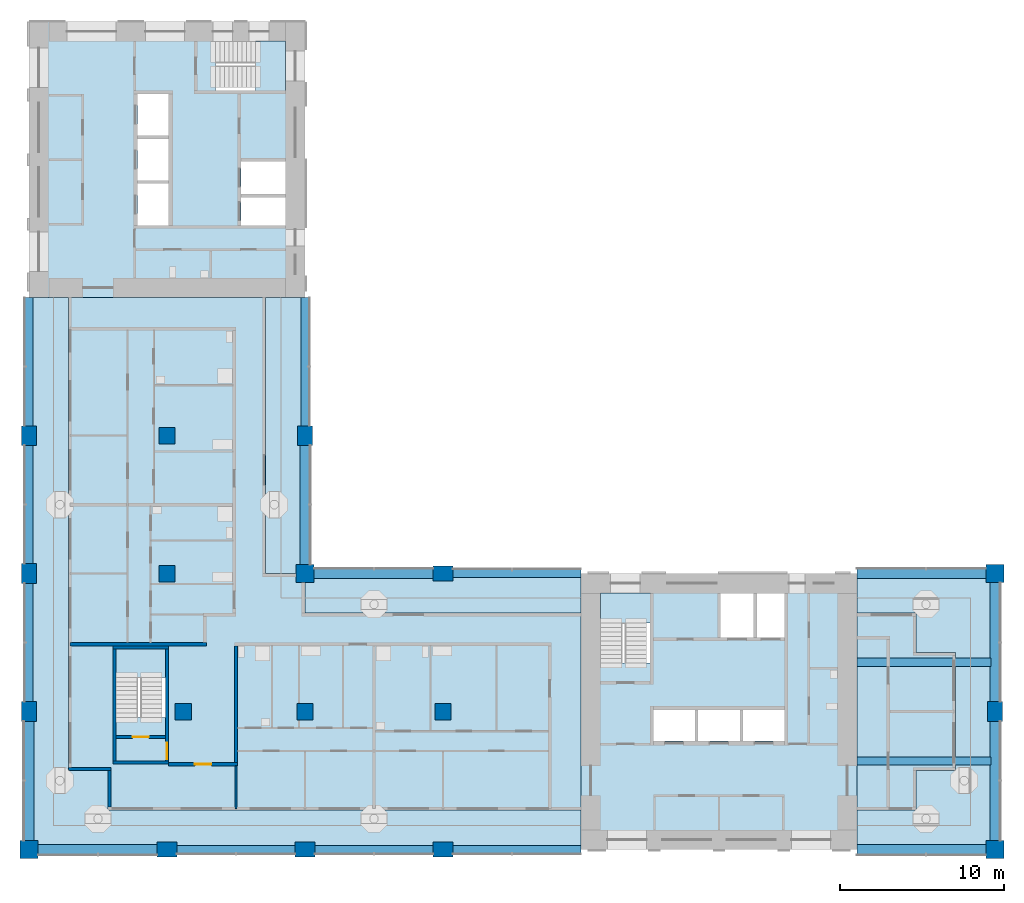
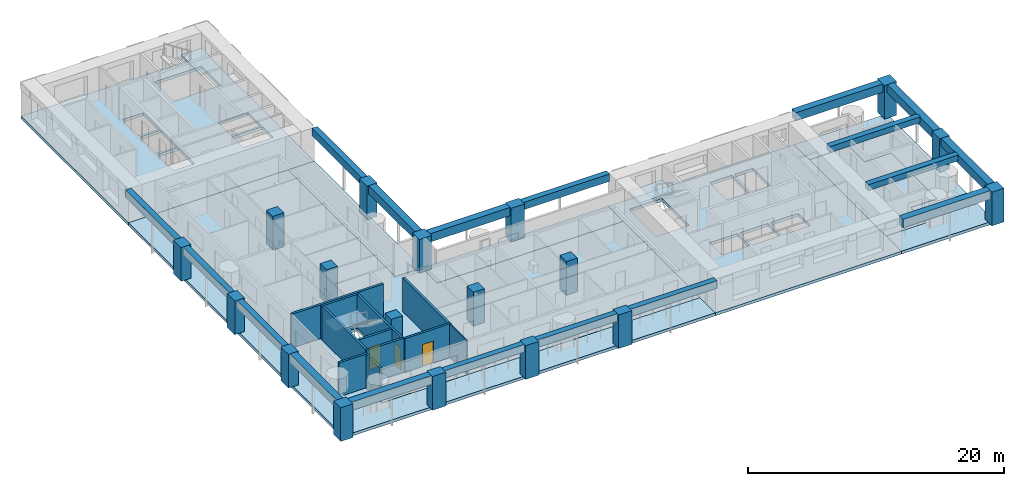
# One storey, part 1 of 13: 18 beams, 18 columns, 12 slabs, 11 walls, 3 doors, 3 openings, 3 elements without a shape of their own.
"""IFC4 building model written with IfcOpenShell, lengths in metres."""

from ifc_helpers import new_model, si_unit, direction, frame, frame_2d, origin, origin_2d, place, context, subcontext, project, spatial, polyline, rectangle, outline, extrude, material, layer, layer_set, material_profile, profile_set, type_object, element, fill, aggregate, save


model = new_model("IFC4")

# Units and contexts
model_context = context("Model", 3, precision=1e-05, world=origin(), true_north=direction((0.0, 1.0)))
body_context = subcontext(model_context, "Body", "Model", "MODEL_VIEW")
ifc_project = project(units=[si_unit("LENGTHUNIT", "METRE"), si_unit("AREAUNIT", "SQUARE_METRE"), si_unit("VOLUMEUNIT", "CUBIC_METRE"), si_unit("PLANEANGLEUNIT", "RADIAN"), si_unit("MASSUNIT", "GRAM", prefix="KILO")], contexts=[model_context])

# Site, building, storey
site_placement = place(None, origin())
site = spatial("IfcSite", under=ifc_project, at=site_placement, CompositionType="ELEMENT")
building_placement = place(site_placement, origin())
building = spatial("IfcBuilding", under=site, at=building_placement, Name="Vermilion Gate Residences", CompositionType="ELEMENT")
storey_placement = place(building_placement, frame((0.0, 0.0, 182.699951171875)))
storey = spatial("IfcBuildingStorey", under=building, at=storey_placement, Name="L47", CompositionType="ELEMENT", Elevation=182.699951171875)

# Columns
ifc_material_1 = material(Name="Concrete C60", Category="concrete")
ifc_material_profile_1 = material_profile(ifc_material_1, rectangle(XDim=1.0, YDim=1.0, at=origin_2d()), Name="RC-1000x1000")
ifc_profile_set_1 = profile_set([ifc_material_profile_1], Name="Concrete C60")
column_type_1 = type_object("IfcColumnType", Name="RC COLUMN 1000 X 1000 C60", PredefinedType="COLUMN", material=ifc_profile_set_1)
for number, where, z_axis, x_axis, name in (
    (1, (17.800048828125, 16.800048828125, 0.0), (0.0, 0.0, 1.0), (1.0, 0.0, 0.0), "Column 3-C L47"),
    (2, (16.800048828125, 25.199951171875, 0.0), (0.0, 0.0, 1.0), (1.0, 0.0, 0.0), "Column 3-D L47"),
    (3, (16.800048828125, 33.60009765625, 0.0), (0.0, 0.0, 1.0), (1.0, 0.0, 0.0), "Column 3-E L47"),
    (4, (25.199951171875, 16.800048828125, 0.0), (0.0, 0.0, 1.0), (1.0, 0.0, 0.0), "Column 4-C L47"),
    (5, (33.60009765625, 16.800048828125, 0.0), (0.0, 0.0, 1.0), (1.0, 0.0, 0.0), "Column 5-C L47"),
):
    element("IfcColumn", number, at=place(storey_placement, frame(where, z_axis=z_axis, x_axis=x_axis)), inside=storey, type_object=column_type_1, Name=name, PredefinedType="COLUMN", context=body_context, shape_type="SweptSolid", body=[
        extrude(rectangle(XDim=1.0, YDim=1.0, at=origin_2d()), origin(), (0.0, 0.0, 1.0), 3.219970703125),
    ])
ifc_material_2 = material(Name="Concrete C60", Category="concrete")
ifc_material_profile_2 = material_profile(ifc_material_2, rectangle(XDim=1.10009765625, YDim=1.10009765625, at=origin_2d()), Name="RC-1100x1100")
ifc_profile_set_2 = profile_set([ifc_material_profile_2], Name="Concrete C60")
column_type_2 = type_object("IfcColumnType", Name="RC COLUMN 1100 X 1100 C60", PredefinedType="COLUMN", material=ifc_profile_set_2)
for number, where, z_axis, x_axis, name in (
    (6, (8.39990234375, 8.39990234375, 0.0), (0.0, 0.0, 1.0), (1.0, 0.0, 0.0), "Column 2-B L47"),
    (7, (25.199951171875, 25.199951171875, 0.0), (0.0, 0.0, 1.0), (1.0, 0.0, 0.0), "Column 4-D L47"),
    (8, (67.199951171875, 8.39990234375, 0.0), (0.0, 0.0, 1.0), (1.0, 0.0, 0.0), "Column 9-B L47"),
    (9, (67.199951171875, 25.199951171875, 0.0), (0.0, 0.0, 1.0), (1.0, 0.0, 0.0), "Column 9-D L47"),
):
    element("IfcColumn", number, at=place(storey_placement, frame(where, z_axis=z_axis, x_axis=x_axis)), inside=storey, type_object=column_type_2, Name=name, PredefinedType="COLUMN", context=body_context, shape_type="SweptSolid", body=[
        extrude(rectangle(XDim=1.10009765625, YDim=1.10009765625, at=origin_2d()), origin(), (0.0, 0.0, 1.0), 3.219970703125),
    ])
ifc_material_3 = material(Name="Concrete C60", Category="concrete")
ifc_material_profile_3 = material_profile(ifc_material_3, rectangle(XDim=1.199951171875, YDim=0.89990234375, at=origin_2d()), Name="RC-1200x900")
ifc_profile_set_3 = profile_set([ifc_material_profile_3], Name="Concrete C60")
column_type_3 = type_object("IfcColumnType", Name="RC COLUMN 1200 X 900 C60", PredefinedType="COLUMN", material=ifc_profile_set_3)
for number, where, z_axis, x_axis, name in (
    (10, (8.39990234375, 16.800048828125, 0.0), (0.0, 0.0, 1.0), (0.0, 1.0, 0.0), "Column 2-C L47"),
    (11, (8.39990234375, 25.199951171875, 0.0), (0.0, 0.0, 1.0), (0.0, 1.0, 0.0), "Column 2-D L47"),
    (12, (8.39990234375, 33.60009765625, 0.0), (0.0, 0.0, 1.0), (0.0, 1.0, 0.0), "Column 2-E L47"),
    (13, (16.800048828125, 8.39990234375, 0.0), (0.0, 0.0, 1.0), (1.0, 0.0, 0.0), "Column 3-B L47"),
    (14, (25.199951171875, 8.39990234375, 0.0), (0.0, 0.0, 1.0), (1.0, 0.0, 0.0), "Column 4-B L47"),
    (15, (25.199951171875, 33.60009765625, 0.0), (0.0, 0.0, 1.0), (0.0, 1.0, 0.0), "Column 4-E L47"),
    (16, (33.60009765625, 8.39990234375, 0.0), (0.0, 0.0, 1.0), (1.0, 0.0, 0.0), "Column 5-B L47"),
    (17, (33.60009765625, 25.199951171875, 0.0), (0.0, 0.0, 1.0), (1.0, 0.0, 0.0), "Column 5-D L47"),
    (18, (67.199951171875, 16.800048828125, 0.0), (0.0, 0.0, 1.0), (0.0, 1.0, 0.0), "Column 9-C L47"),
):
    element("IfcColumn", number, at=place(storey_placement, frame(where, z_axis=z_axis, x_axis=x_axis)), inside=storey, type_object=column_type_3, Name=name, PredefinedType="COLUMN", context=body_context, shape_type="SweptSolid", body=[
        extrude(rectangle(XDim=1.199951171875, YDim=0.89990234375, at=origin_2d()), origin(), (0.0, 0.0, 1.0), 3.219970703125),
    ])

# Beams
ifc_material_4 = material(Name="Concrete C60 red-oxide pigmented", Category="concrete")
ifc_material_profile_4 = material_profile(ifc_material_4, rectangle(XDim=0.60009765625, YDim=0.800048828125, at=origin_2d()), Name="RC-600x800")
ifc_profile_set_4 = profile_set([ifc_material_profile_4], Name="Concrete C60 red-oxide pigmented")
beam_type_1 = type_object("IfcBeamType", Name="RC CORNER EDGE BEAM 600 X 800 C60", PredefinedType="BEAM", material=ifc_profile_set_4)
for number, where, z_axis, x_axis, name in (
    (19, (8.949951171875, 8.39990234375, 2.820068359375), (1.0, 0.0, 0.0), (0.0, 1.0, 0.0), "Corner edge beam L47 1"),
    (20, (8.39990234375, 8.949951171875, 2.820068359375), (0.0, 1.0, 0.0), (-1.0, 0.0, 0.0), "Corner edge beam L47 2"),
    (21, (25.199951171875, 25.75, 2.820068359375), (0.0, 1.0, 0.0), (-1.0, 0.0, 0.0), "Corner edge beam L47 7"),
    (22, (25.75, 25.199951171875, 2.820068359375), (1.0, 0.0, 0.0), (0.0, 1.0, 0.0), "Corner edge beam L47 10"),
):
    element("IfcBeam", number, at=place(storey_placement, frame(where, z_axis=z_axis, x_axis=x_axis)), inside=storey, type_object=beam_type_1, Name=name, PredefinedType="BEAM", context=body_context, shape_type="SweptSolid", body=[
        extrude(rectangle(XDim=0.60009765625, YDim=0.800048828125, at=origin_2d()), origin(), (0.0, 0.0, 1.0), 7.25),
    ])
beam_1_placement = place(storey_placement, frame((58.800048828125, 8.39990234375, 2.820068359375), z_axis=(1.0, 0.0, 0.0), x_axis=(0.0, 1.0, 0.0)))
element("IfcBeam", 23, at=beam_1_placement, inside=storey, type_object=beam_type_1, Name="Corner edge beam L47 13", PredefinedType="BEAM", context=body_context, shape_type="SweptSolid", body=[
    extrude(rectangle(XDim=0.60009765625, YDim=0.800048828125, at=origin_2d()), origin(), (0.0, 0.0, 1.0), 7.849853515625),
])
for number, where, z_axis, x_axis, name in (
    (24, (67.199951171875, 8.949951171875, 2.820068359375), (0.0, 1.0, 0.0), (-1.0, 0.0, 0.0), "Corner edge beam L47 14"),
    (25, (67.199951171875, 17.39990234375, 2.820068359375), (0.0, 1.0, 0.0), (-1.0, 0.0, 0.0), "Corner edge beam L47 15"),
):
    element("IfcBeam", number, at=place(storey_placement, frame(where, z_axis=z_axis, x_axis=x_axis)), inside=storey, type_object=beam_type_1, Name=name, PredefinedType="BEAM", context=body_context, shape_type="SweptSolid", body=[
        extrude(rectangle(XDim=0.60009765625, YDim=0.800048828125, at=origin_2d()), origin(), (0.0, 0.0, 1.0), 7.25),
    ])
beam_2_placement = place(storey_placement, frame((58.800048828125, 25.199951171875, 2.820068359375), z_axis=(1.0, 0.0, 0.0), x_axis=(0.0, 1.0, 0.0)))
element("IfcBeam", 26, at=beam_2_placement, inside=storey, type_object=beam_type_1, Name="Corner edge beam L47 16", PredefinedType="BEAM", context=body_context, shape_type="SweptSolid", body=[
    extrude(rectangle(XDim=0.60009765625, YDim=0.800048828125, at=origin_2d()), origin(), (0.0, 0.0, 1.0), 7.849853515625),
])
ifc_material_5 = material(Name="Concrete C60 red-oxide pigmented", Category="concrete")
ifc_material_profile_5 = material_profile(ifc_material_5, rectangle(XDim=0.5, YDim=0.699951171875, at=origin_2d()), Name="RC-500x700")
ifc_profile_set_5 = profile_set([ifc_material_profile_5], Name="Concrete C60 red-oxide pigmented")
beam_type_2 = type_object("IfcBeamType", Name="RC EDGE BEAM 500 X 700 C60", PredefinedType="BEAM", material=ifc_profile_set_5)
beam_3_placement = place(storey_placement, frame((8.39990234375, 17.39990234375, 2.8701171875), z_axis=(0.0, 1.0, 0.0), x_axis=(-1.0, 0.0, 0.0)))
element("IfcBeam", 27, at=beam_3_placement, inside=storey, type_object=beam_type_2, Name="Edge beam L47 3", PredefinedType="BEAM", context=body_context, shape_type="SweptSolid", body=[
    extrude(rectangle(XDim=0.5, YDim=0.699951171875, at=origin_2d()), origin(), (0.0, 0.0, 1.0), 7.2001953125),
])
beam_4_placement = place(storey_placement, frame((8.39990234375, 25.800048828125, 2.8701171875), z_axis=(0.0, 1.0, 0.0), x_axis=(-1.0, 0.0, 0.0)))
element("IfcBeam", 28, at=beam_4_placement, inside=storey, type_object=beam_type_2, Name="Edge beam L47 4", PredefinedType="BEAM", context=body_context, shape_type="SweptSolid", body=[
    extrude(rectangle(XDim=0.5, YDim=0.699951171875, at=origin_2d()), origin(), (0.0, 0.0, 1.0), 7.199951171875),
])
beam_5_placement = place(storey_placement, frame((8.39990234375, 34.199951171875, 2.8701171875), z_axis=(0.0, 1.0, 0.0), x_axis=(-1.0, 0.0, 0.0)))
element("IfcBeam", 29, at=beam_5_placement, inside=storey, type_object=beam_type_2, Name="Edge beam L47 5", PredefinedType="BEAM", context=body_context, shape_type="SweptSolid", body=[
    extrude(rectangle(XDim=0.5, YDim=0.699951171875, at=origin_2d()), origin(), (0.0, 0.0, 1.0), 7.800048828125),
])
beam_6_placement = place(storey_placement, frame((17.39990234375, 8.39990234375, 2.8701171875), z_axis=(1.0, 0.0, 0.0), x_axis=(0.0, 1.0, 0.0)))
element("IfcBeam", 30, at=beam_6_placement, inside=storey, type_object=beam_type_2, Name="Edge beam L47 6", PredefinedType="BEAM", context=body_context, shape_type="SweptSolid", body=[
    extrude(rectangle(XDim=0.5, YDim=0.699951171875, at=origin_2d()), origin(), (0.0, 0.0, 1.0), 7.2001953125),
])
beam_7_placement = place(storey_placement, frame((25.199951171875, 34.199951171875, 2.8701171875), z_axis=(0.0, 1.0, 0.0), x_axis=(-1.0, 0.0, 0.0)))
element("IfcBeam", 31, at=beam_7_placement, inside=storey, type_object=beam_type_2, Name="Edge beam L47 8", PredefinedType="BEAM", context=body_context, shape_type="SweptSolid", body=[
    extrude(rectangle(XDim=0.5, YDim=0.699951171875, at=origin_2d()), origin(), (0.0, 0.0, 1.0), 7.800048828125),
])
beam_8_placement = place(storey_placement, frame((25.800048828125, 8.39990234375, 2.8701171875), z_axis=(1.0, 0.0, 0.0), x_axis=(0.0, 1.0, 0.0)))
element("IfcBeam", 32, at=beam_8_placement, inside=storey, type_object=beam_type_2, Name="Edge beam L47 9", PredefinedType="BEAM", context=body_context, shape_type="SweptSolid", body=[
    extrude(rectangle(XDim=0.5, YDim=0.699951171875, at=origin_2d()), origin(), (0.0, 0.0, 1.0), 7.199951171875),
])
for number, where, z_axis, x_axis, name in (
    (33, (34.199951171875, 8.39990234375, 2.8701171875), (1.0, 0.0, 0.0), (0.0, 1.0, 0.0), "Edge beam L47 11"),
    (34, (34.199951171875, 25.199951171875, 2.8701171875), (1.0, 0.0, 0.0), (0.0, 1.0, 0.0), "Edge beam L47 12"),
):
    element("IfcBeam", number, at=place(storey_placement, frame(where, z_axis=z_axis, x_axis=x_axis)), inside=storey, type_object=beam_type_2, Name=name, PredefinedType="BEAM", context=body_context, shape_type="SweptSolid", body=[
        extrude(rectangle(XDim=0.5, YDim=0.699951171875, at=origin_2d()), origin(), (0.0, 0.0, 1.0), 7.800048828125),
    ])
ifc_material_6 = material(Name="Concrete C60", Category="concrete")
ifc_material_profile_6 = material_profile(ifc_material_6, rectangle(XDim=0.5, YDim=0.550048828125, at=origin_2d()), Name="RC-500x550")
ifc_profile_set_6 = profile_set([ifc_material_profile_6], Name="Concrete C60")
beam_type_3 = type_object("IfcBeamType", Name="RC WING BEAM 500 X 550 C60", PredefinedType="BEAM", material=ifc_profile_set_6)
for number, where, z_axis, x_axis, name in (
    (35, (58.800048828125, 13.800048828125, 2.945068359375), (1.0, 0.0, 0.0), (0.0, 1.0, 0.0), "Wing-end beam L47 1"),
    (36, (58.800048828125, 19.800048828125, 2.945068359375), (1.0, 0.0, 0.0), (0.0, 1.0, 0.0), "Wing-end beam L47 2"),
):
    element("IfcBeam", number, at=place(storey_placement, frame(where, z_axis=z_axis, x_axis=x_axis)), inside=storey, type_object=beam_type_3, Name=name, PredefinedType="BEAM", context=body_context, shape_type="SweptSolid", body=[
        extrude(rectangle(XDim=0.5, YDim=0.550048828125, at=origin_2d()), origin(), (0.0, 0.0, 1.0), 8.14990234375),
    ])

# Slabs
ifc_material_7 = material(Name="Concrete C50", Category="concrete")
ifc_layer_1 = layer(ifc_material_7, 0.280029296875)
ifc_layer_set_1 = layer_set([ifc_layer_1], Name="RC CORE FLOOR SLAB 280 C50")
slab_type_1 = type_object("IfcSlabType", Name="RC CORE FLOOR SLAB 280 C50", PredefinedType="FLOOR", material=ifc_layer_set_1)
slab_1_placement = place(storey_placement, frame((0.0, 0.0, -0.280029296875)))
element("IfcSlab", 37, at=slab_1_placement, inside=storey, type_object=slab_type_1, Name="Core floor slab A47", PredefinedType="FLOOR", context=body_context, shape_type="SweptSolid", body=[
    extrude(outline(polyline([(42.0, 8.39990234375), (58.800048828125, 8.39990234375), (58.800048828125, 25.199951171875), (42.0, 25.199951171875), (42.0, 8.39990234375)]), holes=[polyline([(46.39990234375, 15.0), (46.39990234375, 16.89990234375), (48.933349609375, 16.89990234375), (48.933349609375, 15.0), (46.39990234375, 15.0)]), polyline([(49.13330078125, 16.89990234375), (51.666748046875, 16.89990234375), (51.666748046875, 15.0), (49.13330078125, 15.0), (49.13330078125, 16.89990234375)]), polyline([(51.86669921875, 16.89990234375), (54.39990234375, 16.89990234375), (54.39990234375, 15.0), (51.86669921875, 15.0), (51.86669921875, 16.89990234375)]), polyline([(43.199951171875, 19.75), (43.199951171875, 24.0), (46.199951171875, 24.0), (46.199951171875, 19.75), (43.199951171875, 19.75)]), polyline([(50.5, 24.0), (52.5, 24.0), (52.5, 21.300048828125), (50.5, 21.300048828125), (50.5, 24.0)]), polyline([(52.699951171875, 24.0), (54.39990234375, 24.0), (54.39990234375, 21.300048828125), (52.699951171875, 21.300048828125), (52.699951171875, 24.0)])]), origin(), (0.0, 0.0, 1.0), 0.280029296875),
])
slab_2_placement = place(storey_placement, frame((0.0, 0.0, -0.280029296875)))
element("IfcSlab", 38, at=slab_2_placement, inside=storey, type_object=slab_type_1, Name="Core floor slab B47", PredefinedType="FLOOR", context=body_context, shape_type="SweptSolid", body=[
    extrude(outline(polyline([(8.39990234375, 42.0), (25.199951171875, 42.0), (25.199951171875, 58.800048828125), (8.39990234375, 58.800048828125), (8.39990234375, 42.0)]), holes=[polyline([(21.300048828125, 46.39990234375), (21.300048828125, 48.10009765625), (24.0, 48.10009765625), (24.0, 46.39990234375), (21.300048828125, 46.39990234375)]), polyline([(15.0, 48.933349609375), (16.89990234375, 48.933349609375), (16.89990234375, 46.39990234375), (15.0, 46.39990234375), (15.0, 48.933349609375)]), polyline([(21.300048828125, 50.300048828125), (24.0, 50.300048828125), (24.0, 48.300048828125), (21.300048828125, 48.300048828125), (21.300048828125, 50.300048828125)]), polyline([(15.0, 49.13330078125), (15.0, 51.666748046875), (16.89990234375, 51.666748046875), (16.89990234375, 49.13330078125), (15.0, 49.13330078125)]), polyline([(15.0, 54.39990234375), (16.89990234375, 54.39990234375), (16.89990234375, 51.86669921875), (15.0, 51.86669921875), (15.0, 54.39990234375)]), polyline([(19.75, 57.60009765625), (24.0, 57.60009765625), (24.0, 54.60009765625), (19.75, 54.60009765625), (19.75, 57.60009765625)])]), origin(), (0.0, 0.0, 1.0), 0.280029296875),
])
slab_3_placement = place(storey_placement, frame((0.0, 0.0, -0.280029296875)))
element("IfcSlab", 39, at=slab_3_placement, inside=storey, type_object=slab_type_1, Name="Apex stair floor slab 47", PredefinedType="FLOOR", context=body_context, shape_type="SweptSolid", body=[
    extrude(outline(polyline([(13.5, 13.60009765625), (16.89990234375, 13.60009765625), (16.89990234375, 20.800048828125), (13.5, 20.800048828125), (13.5, 13.60009765625)]), holes=[polyline([(16.699951171875, 20.60009765625), (16.699951171875, 16.449951171875), (13.699951171875, 16.449951171875), (13.699951171875, 20.60009765625), (16.699951171875, 20.60009765625)])]), origin(), (0.0, 0.0, 1.0), 0.280029296875),
])
ifc_material_8 = material(Name="Concrete C50", Category="concrete")
ifc_layer_2 = layer(ifc_material_8, 0.280029296875)
ifc_layer_set_2 = layer_set([ifc_layer_2], Name="RC FLAT PLATE 280 C50")
slab_type_2 = type_object("IfcSlabType", Name="RC FLAT PLATE 280 C50", PredefinedType="FLOOR", material=ifc_layer_set_2)
slab_4_placement = place(storey_placement, frame((0.0, 0.0, -0.280029296875)))
element("IfcSlab", 40, at=slab_4_placement, inside=storey, type_object=slab_type_2, Name="Floor slab L47", PredefinedType="FLOOR", context=body_context, shape_type="SweptSolid", body=[
    extrude(outline(polyline([(22.800048828125, 25.199951171875), (22.800048828125, 42.0), (10.800048828125, 42.0), (10.800048828125, 13.199951171875), (13.199951171875, 13.199951171875), (13.199951171875, 10.800048828125), (42.0, 10.800048828125), (42.0, 22.800048828125), (25.199951171875, 22.800048828125), (25.199951171875, 25.199951171875), (22.800048828125, 25.199951171875)]), holes=[polyline([(13.5, 13.60009765625), (13.5, 20.800048828125), (16.89990234375, 20.800048828125), (16.89990234375, 13.60009765625), (13.5, 13.60009765625)])]), origin(), (0.0, 0.0, 1.0), 0.280029296875),
])
slab_5_placement = place(storey_placement, frame((0.0, 0.0, -0.280029296875)))
element("IfcSlab", 41, at=slab_5_placement, inside=storey, type_object=slab_type_2, Name="Floor slab L47", PredefinedType="FLOOR", context=body_context, shape_type="SweptSolid", body=[
    extrude(outline(polyline([(58.800048828125, 22.800048828125), (58.800048828125, 10.800048828125), (62.39990234375, 10.800048828125), (62.39990234375, 13.199951171875), (64.800048828125, 13.199951171875), (64.800048828125, 20.39990234375), (62.39990234375, 20.39990234375), (62.39990234375, 22.800048828125), (58.800048828125, 22.800048828125)])), origin(), (0.0, 0.0, 1.0), 0.280029296875),
])
ifc_material_9 = material(Name="Concrete C50 red-oxide pigmented", Category="concrete")
ifc_layer_3 = layer(ifc_material_9, 0.280029296875)
ifc_layer_set_3 = layer_set([ifc_layer_3], Name="RC LOGGIA SLAB 280 C50")
slab_type_3 = type_object("IfcSlabType", Name="RC LOGGIA SLAB 280 C50", PredefinedType="FLOOR", material=ifc_layer_set_3)
slab_6_placement = place(storey_placement, frame((0.0, 0.0, -0.280029296875)))
element("IfcSlab", 42, at=slab_6_placement, inside=storey, type_object=slab_type_3, Name="Loggia slab L47", PredefinedType="FLOOR", context=body_context, shape_type="SweptSolid", body=[
    extrude(outline(polyline([(8.39990234375, 42.0), (8.39990234375, 8.39990234375), (42.0, 8.39990234375), (42.0, 10.800048828125), (13.199951171875, 10.800048828125), (13.199951171875, 13.199951171875), (10.800048828125, 13.199951171875), (10.800048828125, 42.0), (8.39990234375, 42.0)])), origin(), (0.0, 0.0, 1.0), 0.280029296875),
])
slab_7_placement = place(storey_placement, frame((0.0, 0.0, -0.280029296875)))
element("IfcSlab", 43, at=slab_7_placement, inside=storey, type_object=slab_type_3, Name="Loggia slab L47", PredefinedType="FLOOR", context=body_context, shape_type="SweptSolid", body=[
    extrude(outline(polyline([(64.800048828125, 13.199951171875), (62.39990234375, 13.199951171875), (62.39990234375, 10.800048828125), (58.800048828125, 10.800048828125), (58.800048828125, 8.39990234375), (67.199951171875, 8.39990234375), (67.199951171875, 25.199951171875), (58.800048828125, 25.199951171875), (58.800048828125, 22.800048828125), (62.39990234375, 22.800048828125), (62.39990234375, 20.39990234375), (64.800048828125, 20.39990234375), (64.800048828125, 13.199951171875)])), origin(), (0.0, 0.0, 1.0), 0.280029296875),
])
slab_8_placement = place(storey_placement, frame((0.0, 0.0, -0.280029296875)))
element("IfcSlab", 44, at=slab_8_placement, inside=storey, type_object=slab_type_3, Name="Loggia slab L47", PredefinedType="FLOOR", context=body_context, shape_type="SweptSolid", body=[
    extrude(outline(polyline([(42.0, 25.199951171875), (25.199951171875, 25.199951171875), (25.199951171875, 22.800048828125), (42.0, 22.800048828125), (42.0, 25.199951171875)])), origin(), (0.0, 0.0, 1.0), 0.280029296875),
])
slab_9_placement = place(storey_placement, frame((0.0, 0.0, -0.280029296875)))
element("IfcSlab", 45, at=slab_9_placement, inside=storey, type_object=slab_type_3, Name="Loggia slab L47", PredefinedType="FLOOR", context=body_context, shape_type="SweptSolid", body=[
    extrude(outline(polyline([(22.800048828125, 42.0), (22.800048828125, 25.199951171875), (25.199951171875, 25.199951171875), (25.199951171875, 42.0), (22.800048828125, 42.0)])), origin(), (0.0, 0.0, 1.0), 0.280029296875),
])

# Stair, slab
ifc_material_10 = material(Name="Concrete C50", Category="concrete")
stair_type = type_object("IfcStairType", Name="SPECIAL ESCAPE STAIR 1300", PredefinedType="HALF_TURN_STAIR", material=ifc_material_10)
stair_1_placement = place(storey_placement, origin())
stair_1 = element("IfcStair", 46, at=stair_1_placement, inside=storey, type_object=stair_type, Name="Special escape stair STA1-47", PredefinedType="HALF_TURN_STAIR")
ifc_material_11 = material(Name="Concrete C50", Category="concrete")
ifc_layer_4 = layer(ifc_material_11, 0.199951171875)
ifc_layer_set_4 = layer_set([ifc_layer_4], Name="STAIR LANDING 200 C50")
slab_type_4 = type_object("IfcSlabType", Name="STAIR LANDING 200 C50", PredefinedType="LANDING", material=ifc_layer_set_4)
slab_10_placement = place(storey_placement, frame((0.0, 0.0, 1.550048828125)))
slab_10 = element("IfcSlab", 47, at=slab_10_placement, type_object=slab_type_4, Name="STA1-47 landing 1", PredefinedType="LANDING", context=body_context, shape_type="SweptSolid", body=[
    extrude(outline(polyline([(46.219970703125, 22.179931640625), (46.219970703125, 24.02001953125), (43.179931640625, 24.02001953125), (43.179931640625, 22.179931640625), (46.219970703125, 22.179931640625)])), origin(), (0.0, 0.0, 1.0), 0.199951171875),
])
aggregate(stair_1, [slab_10])

stair_2_placement = place(storey_placement, origin())
stair_2 = element("IfcStair", 48, at=stair_2_placement, inside=storey, type_object=stair_type, Name="Special escape stair STB1-47", PredefinedType="HALF_TURN_STAIR")
slab_11_placement = place(storey_placement, frame((0.0, 0.0, 1.550048828125)))
slab_11 = element("IfcSlab", 49, at=slab_11_placement, type_object=slab_type_4, Name="STB1-47 landing 1", PredefinedType="LANDING", context=body_context, shape_type="SweptSolid", body=[
    extrude(outline(polyline([(24.02001953125, 54.580078125), (24.02001953125, 57.6201171875), (22.179931640625, 57.6201171875), (22.179931640625, 54.580078125), (24.02001953125, 54.580078125)])), origin(), (0.0, 0.0, 1.0), 0.199951171875),
])
aggregate(stair_2, [slab_11])

stair_3_placement = place(storey_placement, origin())
stair_3 = element("IfcStair", 50, at=stair_3_placement, inside=storey, type_object=stair_type, Name="Special escape stair STC1-47", PredefinedType="HALF_TURN_STAIR")
slab_12_placement = place(storey_placement, frame((0.0, 0.0, 1.550048828125)))
slab_12 = element("IfcSlab", 51, at=slab_12_placement, type_object=slab_type_4, Name="STC1-47 landing 1", PredefinedType="LANDING", context=body_context, shape_type="SweptSolid", body=[
    extrude(outline(polyline([(16.719970703125, 18.8798828125), (16.719970703125, 20.6201171875), (13.679931640625, 20.6201171875), (13.679931640625, 18.8798828125), (16.719970703125, 18.8798828125)])), origin(), (0.0, 0.0, 1.0), 0.199951171875),
])
aggregate(stair_3, [slab_12])

# Walls
ifc_material_12 = material(Name="Insulated steel stud wall with terracotta rainscreen", Category="masonry")
ifc_layer_5 = layer(ifc_material_12, 0.199951171875)
ifc_layer_set_5 = layer_set([ifc_layer_5], Name="EXTERNAL WALL 200 TERRACOTTA RAINSCREEN")
wall_type_1 = type_object("IfcWallType", Name="EXTERNAL WALL 200 TERRACOTTA RAINSCREEN", PredefinedType="SOLIDWALL", material=ifc_layer_set_5)
wall_1_placement = place(storey_placement, frame((10.800048828125, 13.300048828125, 0.0), z_axis=(0.0, 0.0, 1.0), x_axis=(1.0, 0.0, 0.0)))
element("IfcWall", 52, at=wall_1_placement, inside=storey, type_object=wall_type_1, Name="External wall", PredefinedType="SOLIDWALL", context=body_context, shape_type="SweptSolid", body=[
    extrude(rectangle(XDim=2.599853515625, YDim=0.199951171875, at=frame_2d((1.2998046875, 0.0))), origin(), (0.0, 0.0, 1.0), 3.219970703125),
])
wall_2_placement = place(storey_placement, frame((13.300048828125, 13.199951171875, 0.0), z_axis=(0.0, 0.0, 1.0), x_axis=(0.0, -1.0, 0.0)))
element("IfcWall", 53, at=wall_2_placement, inside=storey, type_object=wall_type_1, Name="External wall", PredefinedType="SOLIDWALL", context=body_context, shape_type="SweptSolid", body=[
    extrude(rectangle(XDim=2.199951171875, YDim=0.199951171875, at=frame_2d((1.10009765625, 0.0))), origin(), (0.0, 0.0, 1.0), 3.219970703125),
])
ifc_material_13 = material(Name="Plasterboard on steel studs", Category="steel")
ifc_layer_6 = layer(ifc_material_13, 0.10009765625)
ifc_layer_set_6 = layer_set([ifc_layer_6], Name="PARTITION 100")
wall_type_2 = type_object("IfcWallType", Name="PARTITION 100", PredefinedType="PARTITIONING", material=ifc_layer_set_6)
wall_3_placement = place(storey_placement, frame((21.0, 10.89990234375, 0.0), z_axis=(0.0, 0.0, 1.0), x_axis=(0.0, 1.0, 0.0)))
element("IfcWall", 54, at=wall_3_placement, inside=storey, type_object=wall_type_2, Name="Partition", PredefinedType="PARTITIONING", context=body_context, shape_type="SweptSolid", body=[
    extrude(rectangle(XDim=2.60009765625, YDim=0.10009765625, at=frame_2d((1.300048828125, 0.0))), origin(), (0.0, 0.0, 1.0), 3.219970703125),
])

# Wall, opening, door
ifc_material_14 = material(Name="Fire-rated plasterboard on steel studs", Category="steel")
ifc_layer_7 = layer(ifc_material_14, 0.199951171875)
ifc_layer_set_7 = layer_set([ifc_layer_7], Name="PARTY WALL 200 EI 120")
wall_type_3 = type_object("IfcWallType", Name="PARTY WALL 200 EI 120", PredefinedType="PARTITIONING", material=ifc_layer_set_7)
wall_4_placement = place(storey_placement, frame((16.89990234375, 13.60009765625, 0.0), z_axis=(0.0, 0.0, 1.0), x_axis=(1.0, 0.0, 0.0)))
wall_4 = element("IfcWall", 55, at=wall_4_placement, inside=storey, type_object=wall_type_3, Name="Party and corridor wall", PredefinedType="PARTITIONING", context=body_context, shape_type="SweptSolid", body=[
    extrude(rectangle(XDim=4.2001953125, YDim=0.199951171875, at=frame_2d((2.10009765625, 0.0))), origin(), (0.0, 0.0, 1.0), 3.219970703125),
])
opening_1_placement = place(wall_4_placement, frame((1.60009765625, 0.0, 0.0)))
opening_1 = element("IfcOpeningElement", 56, at=opening_1_placement, cuts=wall_4, Name="Opening DA46001", PredefinedType="OPENING", context=body_context, shape_type="SweptSolid", body=[
    extrude(rectangle(XDim=1.0, YDim=2.10009765625, at=frame_2d((0.5, 1.050048828125))), frame((0.0, 0.10986328125, 0.0), z_axis=(0.0, -1.0, 0.0), x_axis=(1.0, 0.0, 0.0)), (0.0, 0.0, 1.0), 0.219970703125),
])
ifc_material_15 = material(Name="Steel", Category="steel")
door_type_1 = type_object("IfcDoorType", Name="ENTRANCE DOOR 1000 X 2100 FD30", OperationType="SINGLE_SWING_LEFT", PredefinedType="DOOR", material=ifc_material_15)
door_1_placement = place(opening_1_placement, frame((1.0, 0.0, 0.0), z_axis=(0.0, 0.0, 1.0), x_axis=(-1.0, 0.0, 0.0)))
door_1 = element("IfcDoor", 57, at=door_1_placement, inside=storey, type_object=door_type_1, Name="Entrance door", OperationType="SINGLE_SWING_LEFT", OverallHeight=2.10009765625, OverallWidth=1.0, PredefinedType="DOOR", context=body_context, shape_type="SweptSolid", body=[
    extrude(rectangle(XDim=1.0, YDim=2.10009765625, at=frame_2d((0.5, 1.050048828125))), frame((0.0, 0.02490234375, 0.0), z_axis=(0.0, -1.0, 0.0), x_axis=(1.0, 0.0, 0.0)), (0.0, 0.0, 1.0), 0.050048828125),
])
fill(opening_1, door_1)

# Walls
wall_5_placement = place(storey_placement, frame((10.89990234375, 20.89990234375, 0.0), z_axis=(0.0, 0.0, 1.0), x_axis=(1.0, 0.0, 0.0)))
element("IfcWall", 58, at=wall_5_placement, inside=storey, type_object=wall_type_3, Name="Party and corridor wall", PredefinedType="PARTITIONING", context=body_context, shape_type="SweptSolid", body=[
    extrude(rectangle(XDim=8.300048828125, YDim=0.199951171875, at=frame_2d((4.14990234375, 0.0))), origin(), (0.0, 0.0, 1.0), 3.219970703125),
])
wall_6_placement = place(storey_placement, frame((21.0, 13.699951171875, 0.0), z_axis=(0.0, 0.0, 1.0), x_axis=(0.0, 1.0, 0.0)))
element("IfcWall", 59, at=wall_6_placement, inside=storey, type_object=wall_type_3, Name="Party and corridor wall", PredefinedType="PARTITIONING", context=body_context, shape_type="SweptSolid", body=[
    extrude(rectangle(XDim=7.10009765625, YDim=0.199951171875, at=frame_2d((3.550048828125, 0.0))), origin(), (0.0, 0.0, 1.0), 3.219970703125),
])
ifc_material_16 = material(Name="Concrete C60", Category="concrete")
ifc_layer_8 = layer(ifc_material_16, 0.199951171875)
ifc_layer_set_8 = layer_set([ifc_layer_8], Name="RC CORE INTERNAL WALL 200 C60")
wall_type_4 = type_object("IfcWallType", Name="RC CORE INTERNAL WALL 200 C60", PredefinedType="SHEAR", material=ifc_layer_set_8)
wall_7_placement = place(storey_placement, frame((13.60009765625, 13.800048828125, 0.0), z_axis=(0.0, 0.0, 1.0), x_axis=(0.0, 1.0, 0.0)))
element("IfcWall", 60, at=wall_7_placement, inside=storey, type_object=wall_type_4, Name="Core internal wall C47-W", PredefinedType="SHEAR", context=body_context, shape_type="SweptSolid", body=[
    extrude(rectangle(XDim=6.800048828125, YDim=0.199951171875, at=frame_2d((3.39990234375, 0.0))), origin(), (0.0, 0.0, 1.0), 3.219970703125),
])

# Wall, opening, door
wall_8_placement = place(storey_placement, frame((16.800048828125, 13.800048828125, 0.0), z_axis=(0.0, 0.0, 1.0), x_axis=(0.0, 1.0, 0.0)))
wall_8 = element("IfcWall", 61, at=wall_8_placement, inside=storey, type_object=wall_type_4, Name="Core internal wall C47-E", PredefinedType="SHEAR", context=body_context, shape_type="SweptSolid", body=[
    extrude(rectangle(XDim=6.800048828125, YDim=0.199951171875, at=frame_2d((3.39990234375, 0.0))), origin(), (0.0, 0.0, 1.0), 3.219970703125),
])
opening_2_placement = place(wall_8_placement, frame((0.10009765625, 0.0, 0.0)))
opening_2 = element("IfcOpeningElement", 62, at=opening_2_placement, cuts=wall_8, Name="Opening DK47201", PredefinedType="OPENING", context=body_context, shape_type="SweptSolid", body=[
    extrude(rectangle(XDim=1.0, YDim=2.10009765625, at=frame_2d((0.5, 1.050048828125))), frame((0.0, 0.10986328125, 0.0), z_axis=(0.0, -1.0, 0.0), x_axis=(1.0, 0.0, 0.0)), (0.0, 0.0, 1.0), 0.219970703125),
])
ifc_material_17 = material(Name="Steel", Category="steel")
door_type_2 = type_object("IfcDoorType", Name="FIRE DOOR FD60 1000 X 2100", OperationType="SINGLE_SWING_LEFT", PredefinedType="DOOR", material=ifc_material_17)
door_2_placement = place(opening_2_placement, frame((1.0, 0.0, 0.0), z_axis=(0.0, 0.0, 1.0), x_axis=(-1.0, 0.0, 0.0)))
door_2 = element("IfcDoor", 63, at=door_2_placement, inside=storey, type_object=door_type_2, Name="Stair vestibule door C47", OperationType="SINGLE_SWING_RIGHT", OverallHeight=2.10009765625, OverallWidth=1.0, PredefinedType="DOOR", context=body_context, shape_type="SweptSolid", body=[
    extrude(rectangle(XDim=1.0, YDim=2.10009765625, at=frame_2d((0.5, 1.050048828125))), frame((0.0, 0.02490234375, 0.0), z_axis=(0.0, -1.0, 0.0), x_axis=(1.0, 0.0, 0.0)), (0.0, 0.0, 1.0), 0.050048828125),
])
fill(opening_2, door_2)

# Walls
for number, where, z_axis, x_axis, name in (
    (64, (13.5, 13.699951171875, 0.0), (0.0, 0.0, 1.0), (1.0, 0.0, 0.0), "Core internal wall C47-S"),
    (65, (13.5, 20.699951171875, 0.0), (0.0, 0.0, 1.0), (1.0, 0.0, 0.0), "Core internal wall C47-N"),
):
    element("IfcWall", number, at=place(storey_placement, frame(where, z_axis=z_axis, x_axis=x_axis)), inside=storey, type_object=wall_type_4, Name=name, PredefinedType="SHEAR", context=body_context, shape_type="SweptSolid", body=[
        extrude(rectangle(XDim=3.39990234375, YDim=0.199951171875, at=frame_2d((1.699951171875, 0.0))), origin(), (0.0, 0.0, 1.0), 3.219970703125),
    ])

# Wall, opening, door
wall_9_placement = place(storey_placement, frame((13.699951171875, 15.25, 0.0), z_axis=(0.0, 0.0, 1.0), x_axis=(1.0, 0.0, 0.0)))
wall_9 = element("IfcWall", 66, at=wall_9_placement, inside=storey, type_object=wall_type_4, Name="Core internal wall C47-P", PredefinedType="SHEAR", context=body_context, shape_type="SweptSolid", body=[
    extrude(rectangle(XDim=3.0, YDim=0.199951171875, at=frame_2d((1.5, 0.0))), origin(), (0.0, 0.0, 1.0), 3.219970703125),
])
opening_3_placement = place(wall_9_placement, frame((1.0, 0.0, 0.0)))
opening_3 = element("IfcOpeningElement", 67, at=opening_3_placement, cuts=wall_9, Name="Opening DK47202", PredefinedType="OPENING", context=body_context, shape_type="SweptSolid", body=[
    extrude(rectangle(XDim=1.0, YDim=2.10009765625, at=frame_2d((0.5, 1.050048828125))), frame((0.0, 0.10986328125, 0.0), z_axis=(0.0, -1.0, 0.0), x_axis=(1.0, 0.0, 0.0)), (0.0, 0.0, 1.0), 0.219970703125),
])
door_3_placement = place(opening_3_placement, origin())
door_3 = element("IfcDoor", 68, at=door_3_placement, inside=storey, type_object=door_type_2, Name="Stair door C47", OperationType="SINGLE_SWING_LEFT", OverallHeight=2.10009765625, OverallWidth=1.0, PredefinedType="DOOR", context=body_context, shape_type="SweptSolid", body=[
    extrude(rectangle(XDim=1.0, YDim=2.10009765625, at=frame_2d((0.5, 1.050048828125))), frame((0.0, 0.02490234375, 0.0), z_axis=(0.0, -1.0, 0.0), x_axis=(1.0, 0.0, 0.0)), (0.0, 0.0, 1.0), 0.050048828125),
])
fill(opening_3, door_3)

save(model, "model.ifc")
